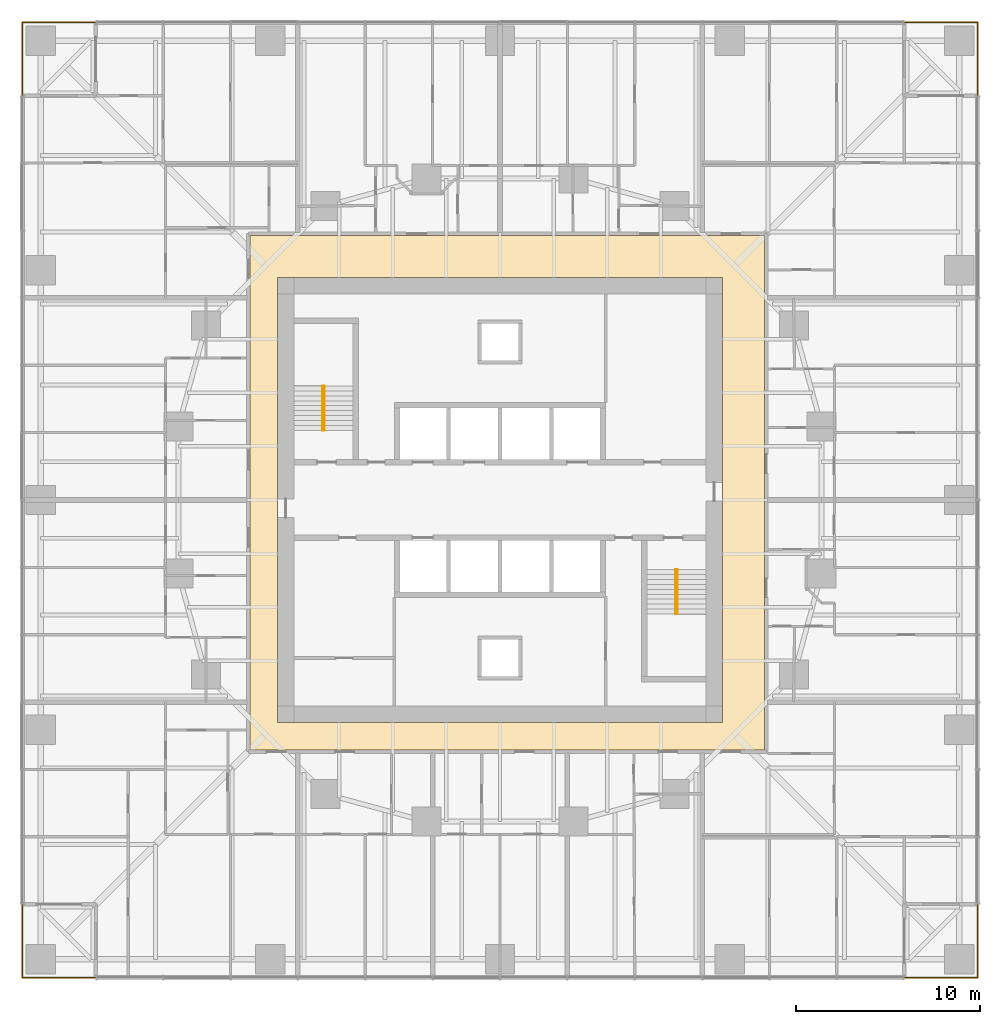
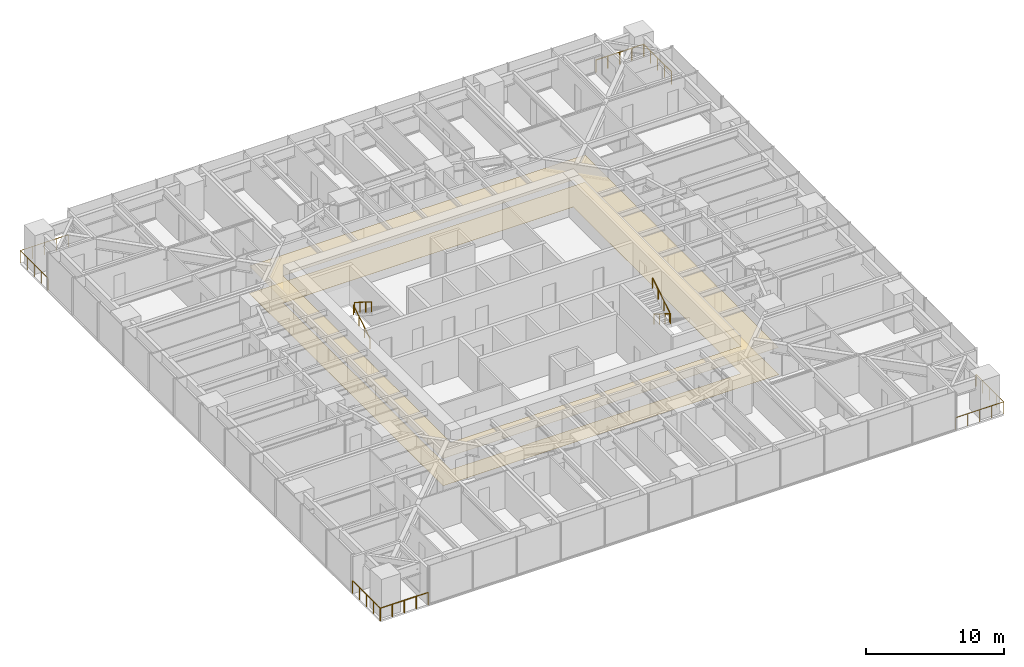
# One storey, part 16 of 16: 8 railings, 2 coverings, 2 elements without a shape of their own.
"""IFC4 building model written with IfcOpenShell, lengths in metres."""

from ifc_helpers import new_model, si_unit, direction, frame, origin, origin_2d, place, context, subcontext, project, spatial, polyline, circle, outline, extrude, material, layer, layer_set, type_object, element, aggregate, save


model = new_model("IFC4")

# Units and contexts
model_context = context("Model", 3, precision=1e-05, world=origin(), true_north=direction((0.0, 1.0)))
body_context = subcontext(model_context, "Body", "Model", "MODEL_VIEW")
ifc_project = project(units=[si_unit("LENGTHUNIT", "METRE"), si_unit("AREAUNIT", "SQUARE_METRE"), si_unit("VOLUMEUNIT", "CUBIC_METRE"), si_unit("PLANEANGLEUNIT", "RADIAN"), si_unit("MASSUNIT", "GRAM", prefix="KILO")], contexts=[model_context])

# Site, building, storey
site_placement = place(None, origin())
site = spatial("IfcSite", under=ifc_project, at=site_placement, CompositionType="ELEMENT")
building_placement = place(site_placement, origin())
building = spatial("IfcBuilding", under=site, at=building_placement, Name="Torsade Residences", CompositionType="ELEMENT")
storey_placement = place(building_placement, frame((0.0, 0.0, 35.39990234375)))
storey = spatial("IfcBuildingStorey", under=building, at=storey_placement, Name="L09", CompositionType="ELEMENT", Elevation=35.39990234375)

# Coverings
ifc_material_1 = material(Name="Nylon carpet tile on underlay", Category="textile")
ifc_layer_1 = layer(ifc_material_1, 0.010009765625)
ifc_layer_set_1 = layer_set([ifc_layer_1], Name="Nylon carpet tile on underlay")
covering_type_1 = type_object("IfcCoveringType", Name="CORRIDOR CARPET TILE 10", PredefinedType="FLOORING", material=ifc_layer_set_1)
covering_1_placement = place(storey_placement, origin())
element("IfcCovering", 1, at=covering_1_placement, inside=storey, type_object=covering_type_1, Name="Corridor carpet L09", PredefinedType="FLOORING", context=body_context, shape_type="SweptSolid", body=[
    extrude(outline(polyline([(54.39990234375, 16.39990234375), (54.39990234375, 44.39990234375), (26.39990234375, 44.39990234375), (26.39990234375, 16.39990234375), (54.39990234375, 16.39990234375)]), holes=[polyline([(52.10009765625, 42.10009765625), (27.89990234375, 42.10009765625), (27.89990234375, 17.89990234375), (52.10009765625, 17.89990234375), (52.10009765625, 42.10009765625)])]), origin(), (0.0, 0.0, 1.0), 0.010009765625),
])
ifc_material_2 = material(Name="Plasterboard on suspended steel grid", Category="steel")
ifc_layer_2 = layer(ifc_material_2, 0.012939453125)
ifc_layer_set_2 = layer_set([ifc_layer_2], Name="Plasterboard on suspended steel grid")
covering_type_2 = type_object("IfcCoveringType", Name="CORRIDOR SUSPENDED CEILING 13", PredefinedType="CEILING", material=ifc_layer_set_2)
covering_2_placement = place(storey_placement, frame((0.0, 0.0, 2.400146484375)))
element("IfcCovering", 2, at=covering_2_placement, inside=storey, type_object=covering_type_2, Name="Corridor ceiling L09", PredefinedType="CEILING", context=body_context, shape_type="SweptSolid", body=[
    extrude(outline(polyline([(54.39990234375, 16.39990234375), (54.39990234375, 44.39990234375), (26.39990234375, 44.39990234375), (26.39990234375, 16.39990234375), (54.39990234375, 16.39990234375)]), holes=[polyline([(52.10009765625, 42.10009765625), (27.89990234375, 42.10009765625), (27.89990234375, 17.89990234375), (52.10009765625, 17.89990234375), (52.10009765625, 42.10009765625)])]), origin(), (0.0, 0.0, 1.0), 0.012939453125),
])

# Stair, railings
ifc_material_3 = material(Name="Precast concrete 40 MPa", Category="concrete")
stair_type = type_object("IfcStairType", Name="HALF-TURN FIRE STAIR 1500x3400", PredefinedType="HALF_TURN_STAIR", material=ifc_material_3)
stair_1_placement = place(storey_placement, origin())
stair_1 = element("IfcStair", 3, at=stair_1_placement, inside=storey, type_object=stair_type, Name="Stair ST1 L09", PredefinedType="HALF_TURN_STAIR")
ifc_material_4 = material(Name="Steel handrail", Category="steel")
railing_type_1 = type_object("IfcRailingType", Name="STAIR HANDRAIL 900", PredefinedType="HANDRAIL", material=ifc_material_4)
railing_1_placement = place(storey_placement, frame((30.35009765625, 33.780029296875, 0.170166015625)))
railing_1 = element("IfcRailing", 4, at=railing_1_placement, type_object=railing_type_1, Name="Handrail ST1 flight 1 L09", PredefinedType="HANDRAIL", context=body_context, shape_type="SweptSolid", body=[
    extrude(circle(Radius=0.02392578125, at=origin_2d()), frame((0.0, 0.0, 0.8759765625), z_axis=(0.0, 0.846221481393, 0.532831309544), x_axis=(-1.0, 0.0, 0.0)), (0.0, 0.0, 1.0), 2.87158203125),
    extrude(circle(Radius=0.02099609375, at=origin_2d()), origin(), (0.0, 0.0, 1.0), 0.851806640625),
    extrude(circle(Radius=0.02099609375, at=origin_2d()), frame((0.0, 0.81005859375, 0.510009765625)), (0.0, 0.0, 1.0), 0.851806640625),
    extrude(circle(Radius=0.02099609375, at=origin_2d()), frame((0.0, 1.619873046875, 1.02001953125)), (0.0, 0.0, 1.0), 0.851806640625),
    extrude(circle(Radius=0.02099609375, at=origin_2d()), frame((0.0, 2.429931640625, 1.530029296875)), (0.0, 0.0, 1.0), 0.851806640625),
])
railing_2_placement = place(storey_placement, frame((30.449951171875, 36.2099609375, 1.8701171875)))
railing_2 = element("IfcRailing", 5, at=railing_2_placement, type_object=railing_type_1, Name="Handrail ST1 flight 2 L09", PredefinedType="HANDRAIL", context=body_context, shape_type="SweptSolid", body=[
    extrude(circle(Radius=0.02392578125, at=origin_2d()), frame((0.0, 0.0, 0.8759765625), z_axis=(0.0, -0.846221481393, 0.532831309544), x_axis=(1.0, 0.0, 0.0)), (0.0, 0.0, 1.0), 2.87158203125),
    extrude(circle(Radius=0.02099609375, at=origin_2d()), origin(), (0.0, 0.0, 1.0), 0.851806640625),
    extrude(circle(Radius=0.02099609375, at=origin_2d()), frame((0.0, -0.81005859375, 0.510009765625)), (0.0, 0.0, 1.0), 0.851806640625),
    extrude(circle(Radius=0.02099609375, at=origin_2d()), frame((0.0, -1.619873046875, 1.02001953125)), (0.0, 0.0, 1.0), 0.851806640625),
    extrude(circle(Radius=0.02099609375, at=origin_2d()), frame((0.0, -2.429931640625, 1.530029296875)), (0.0, 0.0, 1.0), 0.851806640625),
])
aggregate(stair_1, [railing_1, railing_2])

stair_2_placement = place(storey_placement, origin())
stair_2 = element("IfcStair", 6, at=stair_2_placement, inside=storey, type_object=stair_type, Name="Stair ST2 L09", PredefinedType="HALF_TURN_STAIR")
railing_3_placement = place(storey_placement, frame((49.64990234375, 26.219970703125, 0.170166015625)))
railing_3 = element("IfcRailing", 7, at=railing_3_placement, type_object=railing_type_1, Name="Handrail ST2 flight 1 L09", PredefinedType="HANDRAIL", context=body_context, shape_type="SweptSolid", body=[
    extrude(circle(Radius=0.02392578125, at=origin_2d()), frame((0.0, 0.0, 0.8759765625), z_axis=(0.0, -0.846221481393, 0.532831309544), x_axis=(1.0, 0.0, 0.0)), (0.0, 0.0, 1.0), 2.87158203125),
    extrude(circle(Radius=0.02099609375, at=origin_2d()), origin(), (0.0, 0.0, 1.0), 0.851806640625),
    extrude(circle(Radius=0.02099609375, at=origin_2d()), frame((0.0, -0.81005859375, 0.510009765625)), (0.0, 0.0, 1.0), 0.851806640625),
    extrude(circle(Radius=0.02099609375, at=origin_2d()), frame((0.0, -1.619873046875, 1.02001953125)), (0.0, 0.0, 1.0), 0.851806640625),
    extrude(circle(Radius=0.02099609375, at=origin_2d()), frame((0.0, -2.429931640625, 1.530029296875)), (0.0, 0.0, 1.0), 0.851806640625),
])
railing_4_placement = place(storey_placement, frame((49.550048828125, 23.7900390625, 1.8701171875)))
railing_4 = element("IfcRailing", 8, at=railing_4_placement, type_object=railing_type_1, Name="Handrail ST2 flight 2 L09", PredefinedType="HANDRAIL", context=body_context, shape_type="SweptSolid", body=[
    extrude(circle(Radius=0.02392578125, at=origin_2d()), frame((0.0, 0.0, 0.8759765625), z_axis=(0.0, 0.846221481393, 0.532831309544), x_axis=(-1.0, 0.0, 0.0)), (0.0, 0.0, 1.0), 2.87158203125),
    extrude(circle(Radius=0.02099609375, at=origin_2d()), origin(), (0.0, 0.0, 1.0), 0.851806640625),
    extrude(circle(Radius=0.02099609375, at=origin_2d()), frame((0.0, 0.81005859375, 0.510009765625)), (0.0, 0.0, 1.0), 0.851806640625),
    extrude(circle(Radius=0.02099609375, at=origin_2d()), frame((0.0, 1.619873046875, 1.02001953125)), (0.0, 0.0, 1.0), 0.851806640625),
    extrude(circle(Radius=0.02099609375, at=origin_2d()), frame((0.0, 2.429931640625, 1.530029296875)), (0.0, 0.0, 1.0), 0.851806640625),
])
aggregate(stair_2, [railing_3, railing_4])

# Railings
ifc_material_5 = material(Name="Laminated glass balustrade", Category="glass")
railing_type_2 = type_object("IfcRailingType", Name="TERRACE GLASS BALUSTRADE 1100", PredefinedType="BALUSTRADE", material=ifc_material_5)
railing_5_placement = place(storey_placement, frame((62.0, 4.0, 0.0)))
element("IfcRailing", 9, at=railing_5_placement, inside=storey, type_object=railing_type_2, Name="Terrace balustrade SE L09", PredefinedType="BALUSTRADE", context=body_context, shape_type="SweptSolid", body=[
    extrude(circle(Radius=0.02392578125, at=origin_2d()), frame((0.0, 0.0, 1.076171875), z_axis=(1.0, 0.0, 0.0), x_axis=(0.0, 1.0, 0.0)), (0.0, 0.0, 1.0), 4.0),
    extrude(circle(Radius=0.02392578125, at=origin_2d()), frame((4.0, 0.0, 1.076171875), z_axis=(0.0, 1.0, 0.0), x_axis=(-1.0, 0.0, 0.0)), (0.0, 0.0, 1.0), 4.0),
    extrude(circle(Radius=0.02099609375, at=origin_2d()), origin(), (0.0, 0.0, 1.0), 1.052001953125),
    extrude(circle(Radius=0.02099609375, at=origin_2d()), frame((1.0, 0.0, 0.0)), (0.0, 0.0, 1.0), 1.052001953125),
    extrude(circle(Radius=0.02099609375, at=origin_2d()), frame((2.0, 0.0, 0.0)), (0.0, 0.0, 1.0), 1.052001953125),
    extrude(circle(Radius=0.02099609375, at=origin_2d()), frame((3.0, 0.0, 0.0)), (0.0, 0.0, 1.0), 1.052001953125),
    extrude(circle(Radius=0.02099609375, at=origin_2d()), frame((4.0, 0.0, 0.0)), (0.0, 0.0, 1.0), 1.052001953125),
    extrude(circle(Radius=0.02099609375, at=origin_2d()), frame((4.0, 1.0, 0.0)), (0.0, 0.0, 1.0), 1.052001953125),
    extrude(circle(Radius=0.02099609375, at=origin_2d()), frame((4.0, 2.0, 0.0)), (0.0, 0.0, 1.0), 1.052001953125),
    extrude(circle(Radius=0.02099609375, at=origin_2d()), frame((4.0, 3.0, 0.0)), (0.0, 0.0, 1.0), 1.052001953125),
    extrude(circle(Radius=0.02099609375, at=origin_2d()), frame((4.0, 4.0, 0.0)), (0.0, 0.0, 1.0), 1.052001953125),
])
railing_6_placement = place(storey_placement, frame((66.0, 52.0, 0.0)))
element("IfcRailing", 10, at=railing_6_placement, inside=storey, type_object=railing_type_2, Name="Terrace balustrade NE L09", PredefinedType="BALUSTRADE", context=body_context, shape_type="SweptSolid", body=[
    extrude(circle(Radius=0.02392578125, at=origin_2d()), frame((0.0, 0.0, 1.076171875), z_axis=(0.0, 1.0, 0.0), x_axis=(-1.0, 0.0, 0.0)), (0.0, 0.0, 1.0), 4.0),
    extrude(circle(Radius=0.02392578125, at=origin_2d()), frame((0.0, 4.0, 1.076171875), z_axis=(-1.0, 0.0, 0.0), x_axis=(0.0, -1.0, 0.0)), (0.0, 0.0, 1.0), 4.0),
    extrude(circle(Radius=0.02099609375, at=origin_2d()), origin(), (0.0, 0.0, 1.0), 1.052001953125),
    extrude(circle(Radius=0.02099609375, at=origin_2d()), frame((0.0, 1.0, 0.0)), (0.0, 0.0, 1.0), 1.052001953125),
    extrude(circle(Radius=0.02099609375, at=origin_2d()), frame((0.0, 2.0, 0.0)), (0.0, 0.0, 1.0), 1.052001953125),
    extrude(circle(Radius=0.02099609375, at=origin_2d()), frame((0.0, 3.0, 0.0)), (0.0, 0.0, 1.0), 1.052001953125),
    extrude(circle(Radius=0.02099609375, at=origin_2d()), frame((0.0, 4.0, 0.0)), (0.0, 0.0, 1.0), 1.052001953125),
    extrude(circle(Radius=0.02099609375, at=origin_2d()), frame((-1.0, 4.0, 0.0)), (0.0, 0.0, 1.0), 1.052001953125),
    extrude(circle(Radius=0.02099609375, at=origin_2d()), frame((-2.0, 4.0, 0.0)), (0.0, 0.0, 1.0), 1.052001953125),
    extrude(circle(Radius=0.02099609375, at=origin_2d()), frame((-3.0, 4.0, 0.0)), (0.0, 0.0, 1.0), 1.052001953125),
    extrude(circle(Radius=0.02099609375, at=origin_2d()), frame((-4.0, 4.0, 0.0)), (0.0, 0.0, 1.0), 1.052001953125),
])
railing_7_placement = place(storey_placement, frame((18.0, 56.0, 0.0)))
element("IfcRailing", 11, at=railing_7_placement, inside=storey, type_object=railing_type_2, Name="Terrace balustrade NW L09", PredefinedType="BALUSTRADE", context=body_context, shape_type="SweptSolid", body=[
    extrude(circle(Radius=0.02392578125, at=origin_2d()), frame((0.0, 0.0, 1.076171875), z_axis=(-1.0, 0.0, 0.0), x_axis=(0.0, -1.0, 0.0)), (0.0, 0.0, 1.0), 4.0),
    extrude(circle(Radius=0.02392578125, at=origin_2d()), frame((-4.0, 0.0, 1.076171875), z_axis=(0.0, -1.0, 0.0), x_axis=(1.0, 0.0, 0.0)), (0.0, 0.0, 1.0), 4.0),
    extrude(circle(Radius=0.02099609375, at=origin_2d()), origin(), (0.0, 0.0, 1.0), 1.052001953125),
    extrude(circle(Radius=0.02099609375, at=origin_2d()), frame((-1.0, 0.0, 0.0)), (0.0, 0.0, 1.0), 1.052001953125),
    extrude(circle(Radius=0.02099609375, at=origin_2d()), frame((-2.0, 0.0, 0.0)), (0.0, 0.0, 1.0), 1.052001953125),
    extrude(circle(Radius=0.02099609375, at=origin_2d()), frame((-3.0, 0.0, 0.0)), (0.0, 0.0, 1.0), 1.052001953125),
    extrude(circle(Radius=0.02099609375, at=origin_2d()), frame((-4.0, 0.0, 0.0)), (0.0, 0.0, 1.0), 1.052001953125),
    extrude(circle(Radius=0.02099609375, at=origin_2d()), frame((-4.0, -1.0, 0.0)), (0.0, 0.0, 1.0), 1.052001953125),
    extrude(circle(Radius=0.02099609375, at=origin_2d()), frame((-4.0, -2.0, 0.0)), (0.0, 0.0, 1.0), 1.052001953125),
    extrude(circle(Radius=0.02099609375, at=origin_2d()), frame((-4.0, -3.0, 0.0)), (0.0, 0.0, 1.0), 1.052001953125),
    extrude(circle(Radius=0.02099609375, at=origin_2d()), frame((-4.0, -4.0, 0.0)), (0.0, 0.0, 1.0), 1.052001953125),
])
railing_8_placement = place(storey_placement, frame((14.0, 8.0, 0.0)))
element("IfcRailing", 12, at=railing_8_placement, inside=storey, type_object=railing_type_2, Name="Terrace balustrade SW L09", PredefinedType="BALUSTRADE", context=body_context, shape_type="SweptSolid", body=[
    extrude(circle(Radius=0.02392578125, at=origin_2d()), frame((0.0, 0.0, 1.076171875), z_axis=(0.0, -1.0, 0.0), x_axis=(1.0, 0.0, 0.0)), (0.0, 0.0, 1.0), 4.0),
    extrude(circle(Radius=0.02392578125, at=origin_2d()), frame((0.0, -4.0, 1.076171875), z_axis=(1.0, 0.0, 0.0), x_axis=(0.0, 1.0, 0.0)), (0.0, 0.0, 1.0), 4.0),
    extrude(circle(Radius=0.02099609375, at=origin_2d()), origin(), (0.0, 0.0, 1.0), 1.052001953125),
    extrude(circle(Radius=0.02099609375, at=origin_2d()), frame((0.0, -1.0, 0.0)), (0.0, 0.0, 1.0), 1.052001953125),
    extrude(circle(Radius=0.02099609375, at=origin_2d()), frame((0.0, -2.0, 0.0)), (0.0, 0.0, 1.0), 1.052001953125),
    extrude(circle(Radius=0.02099609375, at=origin_2d()), frame((0.0, -3.0, 0.0)), (0.0, 0.0, 1.0), 1.052001953125),
    extrude(circle(Radius=0.02099609375, at=origin_2d()), frame((0.0, -4.0, 0.0)), (0.0, 0.0, 1.0), 1.052001953125),
    extrude(circle(Radius=0.02099609375, at=origin_2d()), frame((1.0, -4.0, 0.0)), (0.0, 0.0, 1.0), 1.052001953125),
    extrude(circle(Radius=0.02099609375, at=origin_2d()), frame((2.0, -4.0, 0.0)), (0.0, 0.0, 1.0), 1.052001953125),
    extrude(circle(Radius=0.02099609375, at=origin_2d()), frame((3.0, -4.0, 0.0)), (0.0, 0.0, 1.0), 1.052001953125),
    extrude(circle(Radius=0.02099609375, at=origin_2d()), frame((4.0, -4.0, 0.0)), (0.0, 0.0, 1.0), 1.052001953125),
])

save(model, "model.ifc")
